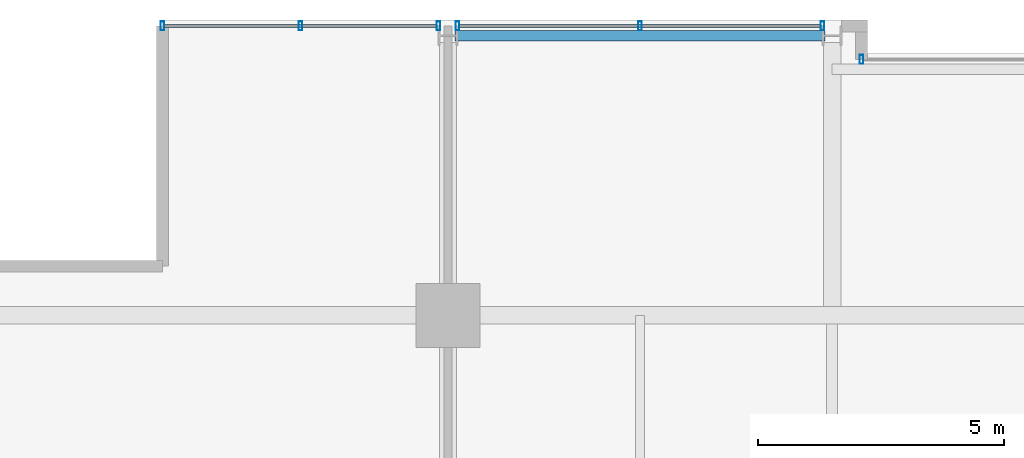
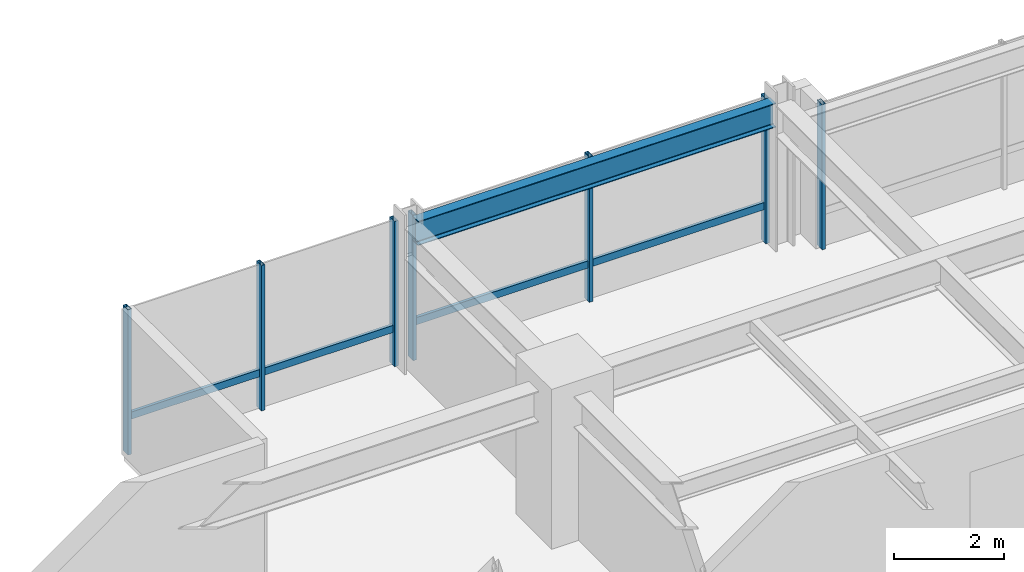
# One storey, part 20 of 33: 9 members, 1 beam, 3 elements without a shape of their own.
"""IFC4 building model written with IfcOpenShell, lengths in metres."""

from ifc_helpers import new_model, si_unit, direction, frame, origin, origin_2d, place, context, subcontext, project, spatial, hollow_rectangle, i_section, extrude, material, layer, layer_set, material_profile, profile_set, type_object, element, aggregate, save


model = new_model("IFC4")

# Units and contexts
model_context = context("Model", 3, precision=1e-05, world=origin(), true_north=direction((0.0, 1.0)))
body_context = subcontext(model_context, "Body", "Model", "MODEL_VIEW")
ifc_project = project(units=[si_unit("LENGTHUNIT", "METRE"), si_unit("AREAUNIT", "SQUARE_METRE"), si_unit("VOLUMEUNIT", "CUBIC_METRE"), si_unit("PLANEANGLEUNIT", "RADIAN"), si_unit("MASSUNIT", "GRAM", prefix="KILO")], contexts=[model_context])

# Site, building, storey
site_placement = place(None, origin())
site = spatial("IfcSite", under=ifc_project, at=site_placement, CompositionType="ELEMENT")
building_placement = place(site_placement, origin())
building = spatial("IfcBuilding", under=site, at=building_placement, Name="Drelvath Grand Hotel", CompositionType="ELEMENT")
storey_placement = place(building_placement, frame((0.0, 0.0, 196.550048828125)))
storey = spatial("IfcBuildingStorey", under=building, at=storey_placement, Name="L51", CompositionType="ELEMENT", Elevation=196.550048828125)

# Curtain wall, member
ifc_material_1 = material(Name="Brushed Pale-Silver Anodised Aluminium Frame", Category="aluminium")
ifc_layer = layer(ifc_material_1, 0.199951171875)
ifc_layer_set = layer_set([ifc_layer], Name="Brushed Pale-Silver Anodised Aluminium Frame")
curtain_wall_type = type_object("IfcCurtainWallType", Name="Stick Curtain Wall CW-04 Brushed Silver Upper-Mid", PredefinedType="NOTDEFINED", material=ifc_layer_set)
curtain_wall_1_placement = place(storey_placement, origin())
curtain_wall_1 = element("IfcCurtainWall", 1, at=curtain_wall_1_placement, inside=storey, type_object=curtain_wall_type, Name="L51 CW-04 Curtain Wall CW04-L51-NW1", PredefinedType="NOTDEFINED")
ifc_material_profile_1 = material_profile(ifc_material_1, hollow_rectangle(XDim=0.06494140625, YDim=0.159912109375, WallThickness=0.00390625, at=origin_2d()), Name="HSS160X65X4")
ifc_profile_set_1 = profile_set([ifc_material_profile_1], Name="Brushed Pale-Silver Anodised Aluminium Frame")
member_type_1 = type_object("IfcMemberType", Name="Curtain Wall Horizontal Transom CW-04 HSS160X65X4", PredefinedType="USERDEFINED", material=ifc_profile_set_1)
member_1_placement = place(storey_placement, frame((-21.9599609375, 49.080078125, 0.807373046875), z_axis=(1.0, 0.0, 0.0), x_axis=(0.0, 1.0, 0.0)))
member_1 = element("IfcMember", 2, at=member_1_placement, type_object=member_type_1, Name="CW04-L51-NW1 Sill Transom", ObjectType="TRANSOM", PredefinedType="USERDEFINED", context=body_context, shape_type="SweptSolid", body=[
    extrude(hollow_rectangle(XDim=0.06494140625, YDim=0.159912109375, WallThickness=0.00390625, at=origin_2d()), origin(), (0.0, 0.0, 1.0), 5.5283203125),
])

curtain_wall_2_placement = place(storey_placement, origin())
curtain_wall_2 = element("IfcCurtainWall", 3, at=curtain_wall_2_placement, inside=storey, type_object=curtain_wall_type, Name="L51 CW-04 Curtain Wall CW04-L51-NW2", PredefinedType="NOTDEFINED")
member_2_placement = place(storey_placement, frame((-15.968505859375, 49.080078125, 0.807373046875), z_axis=(1.0, 0.0, 0.0), x_axis=(0.0, 1.0, 0.0)))
member_2 = element("IfcMember", 4, at=member_2_placement, type_object=member_type_1, Name="CW04-L51-NW2 Sill Transom", ObjectType="TRANSOM", PredefinedType="USERDEFINED", context=body_context, shape_type="SweptSolid", body=[
    extrude(hollow_rectangle(XDim=0.06494140625, YDim=0.159912109375, WallThickness=0.00390625, at=origin_2d()), origin(), (0.0, 0.0, 1.0), 7.3369140625),
])

# Member
ifc_material_profile_2 = material_profile(ifc_material_1, hollow_rectangle(XDim=0.074951171875, YDim=0.179931640625, WallThickness=0.0048828125, at=origin_2d()), Name="HSS180X75X5")
ifc_profile_set_2 = profile_set([ifc_material_profile_2], Name="Brushed Pale-Silver Anodised Aluminium Frame")
member_type_2 = type_object("IfcMemberType", Name="Curtain Wall Vertical Mullion CW-04 HSS180X75X5", PredefinedType="MULLION", material=ifc_profile_set_2)
member_3_placement = place(storey_placement, frame((-22.0, 49.080078125, 0.0), z_axis=(0.0, 0.0, 1.0), x_axis=(1.0, 0.0, 0.0)))
member_3 = element("IfcMember", 5, at=member_3_placement, type_object=member_type_2, Name="CW04-L51-NW1 Mullion 1", PredefinedType="MULLION", context=body_context, shape_type="SweptSolid", body=[
    extrude(hollow_rectangle(XDim=0.074951171875, YDim=0.179931640625, WallThickness=0.0048828125, at=origin_2d()), origin(), (0.0, 0.0, 1.0), 3.22998046875),
])

member_4_placement = place(storey_placement, frame((-19.19580078125, 49.080078125, 0.0), z_axis=(0.0, 0.0, 1.0), x_axis=(1.0, 0.0, 0.0)))
member_4 = element("IfcMember", 6, at=member_4_placement, type_object=member_type_2, Name="CW04-L51-NW1 Mullion 2", PredefinedType="MULLION", context=body_context, shape_type="SweptSolid", body=[
    extrude(hollow_rectangle(XDim=0.074951171875, YDim=0.179931640625, WallThickness=0.0048828125, at=origin_2d()), origin(), (0.0, 0.0, 1.0), 3.22998046875),
])

member_5_placement = place(storey_placement, frame((-16.3916015625, 49.080078125, 0.0), z_axis=(0.0, 0.0, 1.0), x_axis=(1.0, 0.0, 0.0)))
member_5 = element("IfcMember", 7, at=member_5_placement, type_object=member_type_2, Name="CW04-L51-NW1 Mullion 3", PredefinedType="MULLION", context=body_context, shape_type="SweptSolid", body=[
    extrude(hollow_rectangle(XDim=0.074951171875, YDim=0.179931640625, WallThickness=0.0048828125, at=origin_2d()), origin(), (0.0, 0.0, 1.0), 3.22998046875),
])

aggregate(curtain_wall_1, [member_3, member_4, member_5, member_1])

member_6_placement = place(storey_placement, frame((-16.00830078125, 49.080078125, 0.0), z_axis=(0.0, 0.0, 1.0), x_axis=(1.0, 0.0, 0.0)))
member_6 = element("IfcMember", 8, at=member_6_placement, type_object=member_type_2, Name="CW04-L51-NW2 Mullion 1", PredefinedType="MULLION", context=body_context, shape_type="SweptSolid", body=[
    extrude(hollow_rectangle(XDim=0.074951171875, YDim=0.179931640625, WallThickness=0.0048828125, at=origin_2d()), origin(), (0.0, 0.0, 1.0), 3.22998046875),
])

member_7_placement = place(storey_placement, frame((-12.300048828125, 49.080078125, 0.0), z_axis=(0.0, 0.0, 1.0), x_axis=(1.0, 0.0, 0.0)))
member_7 = element("IfcMember", 9, at=member_7_placement, type_object=member_type_2, Name="CW04-L51-NW2 Mullion 2", PredefinedType="MULLION", context=body_context, shape_type="SweptSolid", body=[
    extrude(hollow_rectangle(XDim=0.074951171875, YDim=0.179931640625, WallThickness=0.0048828125, at=origin_2d()), origin(), (0.0, 0.0, 1.0), 3.22998046875),
])

member_8_placement = place(storey_placement, frame((-8.591796875, 49.080078125, 0.0), z_axis=(0.0, 0.0, 1.0), x_axis=(1.0, 0.0, 0.0)))
member_8 = element("IfcMember", 10, at=member_8_placement, type_object=member_type_2, Name="CW04-L51-NW2 Mullion 3", PredefinedType="MULLION", context=body_context, shape_type="SweptSolid", body=[
    extrude(hollow_rectangle(XDim=0.074951171875, YDim=0.179931640625, WallThickness=0.0048828125, at=origin_2d()), origin(), (0.0, 0.0, 1.0), 3.22998046875),
])

aggregate(curtain_wall_2, [member_6, member_7, member_8, member_2])

# Curtain wall, member
curtain_wall_3_placement = place(storey_placement, origin())
curtain_wall_3 = element("IfcCurtainWall", 11, at=curtain_wall_3_placement, inside=storey, type_object=curtain_wall_type, Name="L51 CW-04 Curtain Wall CW04-L51-NM1", PredefinedType="NOTDEFINED")
member_9_placement = place(storey_placement, frame((-7.800048828125, 48.39990234375, 0.0), z_axis=(0.0, 0.0, 1.0), x_axis=(1.0, 0.0, 0.0)))
member_9 = element("IfcMember", 12, at=member_9_placement, type_object=member_type_2, Name="CW04-L51-NM1 Mullion 1", PredefinedType="MULLION", context=body_context, shape_type="SweptSolid", body=[
    extrude(hollow_rectangle(XDim=0.074951171875, YDim=0.179931640625, WallThickness=0.0048828125, at=origin_2d()), origin(), (0.0, 0.0, 1.0), 3.22998046875),
])
aggregate(curtain_wall_3, [member_9])

# Beam
ifc_material_2 = material(Name="Steel ASTM A992 Gr 50", Category="steel")
ifc_material_profile_3 = material_profile(ifc_material_2, i_section(OverallWidth=0.210205078125, OverallDepth=0.53662109375, WebThickness=0.010986328125, FlangeThickness=0.017333984375, FilletRadius=0.01806640625, at=origin_2d()), Name="W21X68")
ifc_profile_set_3 = profile_set([ifc_material_profile_3], Name="Steel ASTM A992 Gr 50")
beam_type = type_object("IfcBeamType", Name="Perimeter Spandrel Beam W21X68", PredefinedType="SPANDREL", material=ifc_profile_set_3)
beam_placement = place(storey_placement, frame((-16.06005859375, 48.8798828125, 2.961669921875), z_axis=(1.0, 0.0, 0.0), x_axis=(0.0, 1.0, 0.0)))
element("IfcBeam", 13, at=beam_placement, inside=storey, type_object=beam_type, Name="L51 Spandrel North W", PredefinedType="SPANDREL", context=body_context, shape_type="SweptSolid", body=[
    extrude(i_section(OverallWidth=0.210205078125, OverallDepth=0.53662109375, WebThickness=0.010986328125, FlangeThickness=0.017333984375, FilletRadius=0.01806640625, at=origin_2d()), origin(), (0.0, 0.0, 1.0), 7.52001953125),
])

save(model, "model.ifc")
